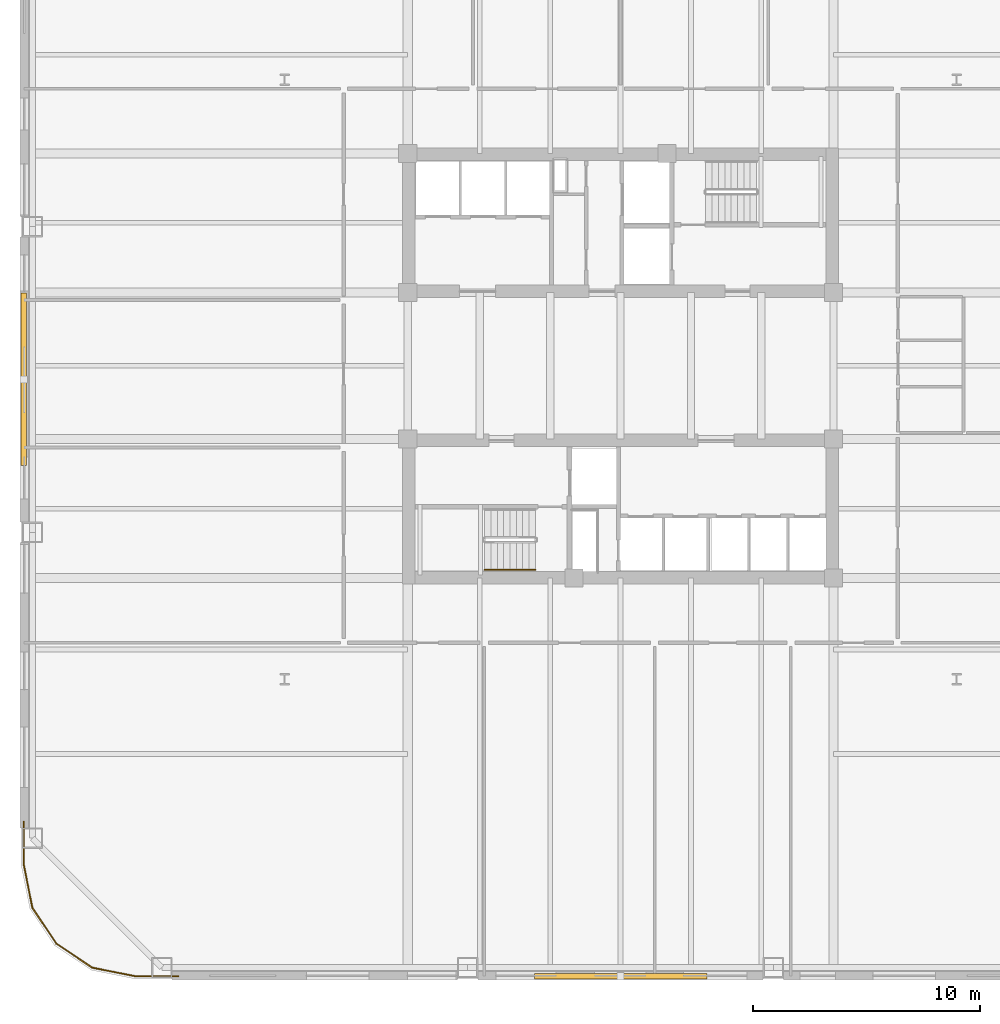
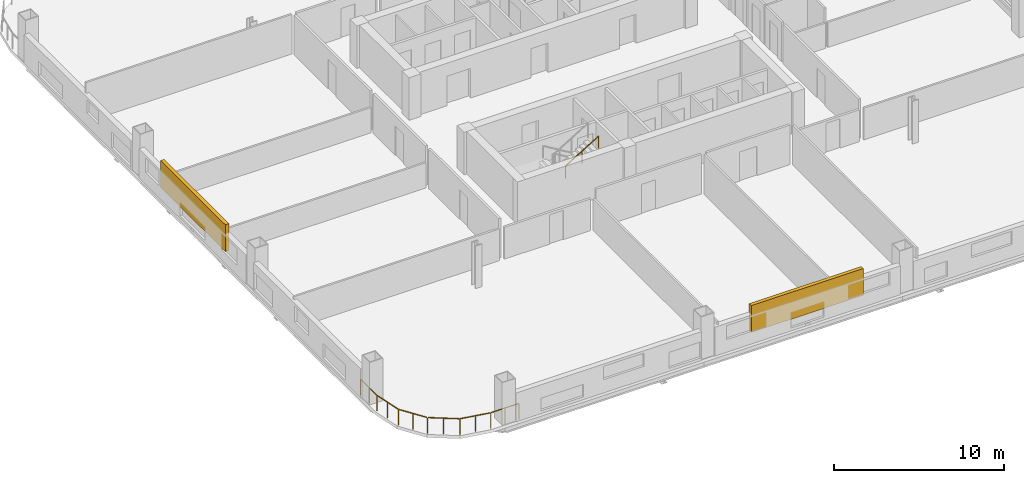
# One storey, part 7 of 12: 2 railings, 2 shading devices.
"""IFC4 building model written with IfcOpenShell, lengths in metres."""

import ifcopenshell
import ifcopenshell.guid

model = None  # the IFC model being written
_history = None  # IfcOwnerHistory: only IFC2X3 demands one
_inside = {}  # id of a spatial element -> (the spatial element, [elements in it])
_under = {}  # id of a project, library or spatial element -> (it, [spatial elements below it])
_declared = {}  # id of a project -> (the project, [libraries it declares])
_typed = {}  # id of a type object -> (the type object, [elements of that type])
_made_of = {}  # id of a material, layer set ... -> (it, [elements and type objects made of it])


def new_model(schema):
    """Start an empty IFC model of exactly this schema.

    Asked for "IFC4X3", IfcOpenShell would pick the latest addendum, in which some entities
    have other attributes; the version numbers below select the first issue.
    IFC2X3 requires an IfcOwnerHistory on every rooted entity: one is made here for all.
    """
    global model, _history
    if schema == "IFC4X3":
        model = ifcopenshell.file(schema_version=(4, 3, 0, 0))
    else:
        model = ifcopenshell.file(schema=schema)
    _inside.clear()
    _under.clear()
    _declared.clear()
    _typed.clear()
    _made_of.clear()
    _history = None
    if model.schema == "IFC2X3":
        org = make("IfcOrganization", Name="unknown")
        user = make(
            "IfcPersonAndOrganization",
            ThePerson=make("IfcPerson", FamilyName="unknown"),
            TheOrganization=org,
        )
        app = make(
            "IfcApplication",
            ApplicationDeveloper=org,
            Version="unknown",
            ApplicationFullName="unknown",
            ApplicationIdentifier="unknown",
        )
        _history = make(
            "IfcOwnerHistory",
            OwningUser=user,
            OwningApplication=app,
            ChangeAction="ADDED",
            CreationDate=0,
        )
    return model


def make(cls, **values):
    """One entity of the class cls with the attributes given. An attribute that is None is left unset."""
    return model.create_entity(
        cls, **{name: value for name, value in values.items() if value is not None}
    )


def rooted(cls, **values):
    """An entity with a GlobalId (a new one), such as an element, a storey or a relation."""
    return make(cls, GlobalId=ifcopenshell.guid.new(), OwnerHistory=_history, **values)


def si_unit(unit_type, name, prefix=None):
    """IfcSIUnit, for example si_unit("LENGTHUNIT", "METRE", prefix="MILLI")."""
    return make("IfcSIUnit", UnitType=unit_type, Prefix=prefix, Name=name)


def assignment(units):
    """IfcUnitAssignment: the units of a project."""
    return None if units is None else make("IfcUnitAssignment", Units=units)


def point(xyz):
    """IfcCartesianPoint."""
    return None if xyz is None else make("IfcCartesianPoint", Coordinates=xyz)


def direction(xyz):
    """IfcDirection."""
    return None if xyz is None else make("IfcDirection", DirectionRatios=xyz)


def frame(location, z_axis=None, x_axis=None):
    """IfcAxis2Placement3D, a coordinate frame: its origin and axes. An axis left out is left unset."""
    return make(
        "IfcAxis2Placement3D",
        Location=point(location),
        Axis=direction(z_axis),
        RefDirection=direction(x_axis),
    )


def frame_2d(location, x_axis=None):
    """IfcAxis2Placement2D, a coordinate frame in the plane: its origin and x axis."""
    return make(
        "IfcAxis2Placement2D", Location=point(location), RefDirection=direction(x_axis)
    )


def origin():
    """The frame at (0, 0, 0) with its axes left unset."""
    return frame((0.0, 0.0, 0.0))


def origin_2d():
    """The frame at (0, 0) in the plane with its x axis left unset."""
    return frame_2d((0.0, 0.0))


def place(relative_to, where):
    """IfcLocalPlacement: puts the frame where relative to a parent placement (None: the world)."""
    return make(
        "IfcLocalPlacement", PlacementRelTo=relative_to, RelativePlacement=where
    )


def context(
    kind, dimensions, precision=None, world=None, true_north=None, identifier=None
):
    """IfcGeometricRepresentationContext, for example the 3D "Model" context."""
    return make(
        "IfcGeometricRepresentationContext",
        ContextIdentifier=identifier,
        ContextType=kind,
        CoordinateSpaceDimension=dimensions,
        Precision=precision,
        WorldCoordinateSystem=world,
        TrueNorth=true_north,
    )


def subcontext(parent, identifier, kind, view, scale=None):
    """IfcGeometricRepresentationSubContext, for example "Body" below "Model"."""
    return make(
        "IfcGeometricRepresentationSubContext",
        ContextIdentifier=identifier,
        ContextType=kind,
        ParentContext=parent,
        TargetScale=scale,
        TargetView=view,
    )


def project(units=None, contexts=None):
    """IfcProject with its units and contexts."""
    return rooted(
        "IfcProject",
        Name="project",
        RepresentationContexts=contexts,
        UnitsInContext=assignment(units),
    )


def spatial(cls, under=None, at=None, **own):
    """A site, building, storey or space (cls), placed at a placement, below another one or the project."""
    s = rooted(cls, ObjectPlacement=at, **own)
    if under is not None:
        _under.setdefault(under.id(), (under, []))[1].append(s)
    return s


def profile(cls, at=None, kind="AREA", **sizes):
    """A parametric profile (cls). Its sizes go by their IFC names, for example OverallWidth=200.0."""
    return make(cls, ProfileType=kind, Position=at, **sizes)


def rectangle(**sizes):
    """IfcRectangleProfileDef."""
    return profile("IfcRectangleProfileDef", **sizes)


def extrude(swept, where, along, depth):
    """IfcExtrudedAreaSolid: the profile swept, set in the frame where, extruded along a direction by depth."""
    return make(
        "IfcExtrudedAreaSolid",
        SweptArea=swept,
        Position=where,
        ExtrudedDirection=direction(along),
        Depth=depth,
    )


def shape(context_of_items, identifier, shape_type, items):
    """IfcShapeRepresentation: the items that make up one representation, for example the "Body"."""
    return make(
        "IfcShapeRepresentation",
        ContextOfItems=context_of_items,
        RepresentationIdentifier=identifier,
        RepresentationType=shape_type,
        Items=items,
    )


def material(Name=None, Category=None):
    """IfcMaterial."""
    return make("IfcMaterial", Name=Name, Category=Category)


def made_of(thing, what):
    """Note that an element or type object is made of a material, layer set ...; save() writes the relation."""
    if what is not None:
        _made_of.setdefault(what.id(), (what, []))[1].append(thing)
    return thing


def type_object(cls, material=None, **own):
    """A type object (cls), such as IfcWallType, which elements share."""
    return made_of(rooted(cls, **own), material)


def element(
    cls,
    number,
    at=None,
    inside=None,
    cuts=None,
    type_object=None,
    material=None,
    context=None,
    identifier="Body",
    shape_type=None,
    held_by="IfcProductDefinitionShape",
    body=None,
    shapes=None,
    **own,
):
    """One element of the class cls, such as IfcWall. Its Tag is "e" and its number.

    at: its placement. inside: the storey or other place that contains it. cuts: it is an
    opening in that element (IfcRelVoidsElement). A single representation is given by context,
    identifier, shape_type and body (its items); several are given by shapes. held_by: the class
    of the entity that holds the representations. save() writes the other relations.
    """
    e = rooted(cls, Tag="e%d" % number, ObjectPlacement=at, **own)
    if body is not None:
        shapes = [shape(context, identifier, shape_type, body)]
    if shapes is not None:
        e.Representation = make(held_by, Representations=shapes)
    if inside is not None:
        _inside.setdefault(inside.id(), (inside, []))[1].append(e)
    if cuts is not None:
        rooted(
            "IfcRelVoidsElement", RelatingBuildingElement=cuts, RelatedOpeningElement=e
        )
    if type_object is not None:
        _typed.setdefault(type_object.id(), (type_object, []))[1].append(e)
    return made_of(e, material)


def aggregate(whole, parts):
    """IfcRelAggregates: a whole, such as a stair, and the parts it consists of."""
    return rooted("IfcRelAggregates", RelatingObject=whole, RelatedObjects=parts)


def save(model, path):
    """Write the relations noted so far, then the file.

    IfcRelAggregates (storeys below a building ...), IfcRelContainedInSpatialStructure (elements
    in a storey), IfcRelDefinesByType, IfcRelAssociatesMaterial and IfcRelDeclares: one each for
    every whole, place, type object, material and project.
    """
    for whole, parts in _under.values():
        aggregate(whole, parts)
    for where, things in _inside.values():
        rooted(
            "IfcRelContainedInSpatialStructure",
            RelatedElements=things,
            RelatingStructure=where,
        )
    for kind, things in _typed.values():
        rooted("IfcRelDefinesByType", RelatedObjects=things, RelatingType=kind)
    for what, things in _made_of.values():
        rooted("IfcRelAssociatesMaterial", RelatedObjects=things, RelatingMaterial=what)
    for by, libraries in _declared.values():
        rooted("IfcRelDeclares", RelatingContext=by, RelatedDefinitions=libraries)
    model.write(path)


model = new_model("IFC4")

# Units and contexts
model_context = context("Model", 3, precision=1e-05, world=origin(), true_north=direction((0.0, 1.0)))
body_context = subcontext(model_context, "Body", "Model", "MODEL_VIEW")
ifc_project = project(units=[si_unit("LENGTHUNIT", "METRE"), si_unit("AREAUNIT", "SQUARE_METRE"), si_unit("VOLUMEUNIT", "CUBIC_METRE"), si_unit("PLANEANGLEUNIT", "RADIAN"), si_unit("MASSUNIT", "GRAM", prefix="KILO")], contexts=[model_context])

# Site, building, storey
site_placement = place(None, origin())
site = spatial("IfcSite", under=ifc_project, at=site_placement, CompositionType="ELEMENT")
building_placement = place(site_placement, origin())
building = spatial("IfcBuilding", under=site, at=building_placement, Name="Qhalaya Broadcast Tower", CompositionType="ELEMENT")
storey_placement = place(building_placement, frame((0.0, 0.0, 47.449951171875)))
storey = spatial("IfcBuildingStorey", under=building, at=storey_placement, Name="L13", CompositionType="ELEMENT", Elevation=47.449951171875)

# Railings
ifc_material_1 = material(Name="Powder-Coated Galvanised Steel", Category="steel")
railing_type_1 = type_object("IfcRailingType", Name="Stair Wall Handrail 900", PredefinedType="HANDRAIL", material=ifc_material_1)
railing_1_placement = place(storey_placement, frame((-5.989990234375, -8.389892578125, 1.694580078125)))
element("IfcRailing", 1, at=railing_1_placement, inside=storey, type_object=railing_type_1, Name="L13 ST-2 Stair Handrail 2", PredefinedType="HANDRAIL", context=body_context, shape_type="SweptSolid", body=[
    extrude(rectangle(XDim=0.048095703125, YDim=0.048095703125, at=origin_2d()), frame((0.0, 0.0, 0.8759765625), z_axis=(0.855553338991, 0.0, 0.51771467445), x_axis=(0.0, 1.0, 0.0)), (0.0, 0.0, 1.0), 2.6181640625),
    extrude(rectangle(XDim=0.0419921875, YDim=0.0419921875, at=origin_2d()), origin(), (0.0, 0.0, 1.0), 0.849853515625),
    extrude(rectangle(XDim=0.0419921875, YDim=0.0419921875, at=origin_2d()), frame((1.1201171875, 0.0, 0.677734375)), (0.0, 0.0, 1.0), 0.849853515625),
    extrude(rectangle(XDim=0.0419921875, YDim=0.0419921875, at=origin_2d()), frame((2.239990234375, 0.0, 1.35546875)), (0.0, 0.0, 1.0), 0.849853515625),
])
railing_type_2 = type_object("IfcRailingType", Name="Terrace, Sky-Pool & Lookout Glass Balustrade 1150", PredefinedType="BALUSTRADE", material=ifc_material_1)
railing_2_placement = place(storey_placement, frame((-19.48193359375, -26.280029296875, 0.0)))
element("IfcRailing", 2, at=railing_2_placement, inside=storey, type_object=railing_type_2, Name="L13 Rounded Corner Perimeter Guard 02", PredefinedType="BALUSTRADE", context=body_context, shape_type="SweptSolid", body=[
    extrude(rectangle(XDim=0.048095703125, YDim=0.048095703125, at=origin_2d()), frame((0.0, 0.0, 1.1259765625), z_axis=(-1.0, 0.0, 0.0), x_axis=(0.0, -1.0, 0.0)), (0.0, 0.0, 1.0), 1.87744140625),
    extrude(rectangle(XDim=0.048095703125, YDim=0.048095703125, at=origin_2d()), frame((-1.9345703125, 0.005615234375, 1.1259765625), z_axis=(-0.980795810058, 0.195037378397, 0.0), x_axis=(-0.195037378397, -0.980795810058, 0.0)), (0.0, 0.0, 1.0), 1.857421875),
    extrude(rectangle(XDim=0.048095703125, YDim=0.048095703125, at=origin_2d()), frame((-3.80859375, 0.3896484375, 1.1259765625), z_axis=(-0.831477548332, 0.555558355728, 0.0), x_axis=(-0.555558355728, -0.831477548332, 0.0)), (0.0, 0.0, 1.0), 1.845458984375),
    extrude(rectangle(XDim=0.048095703125, YDim=0.048095703125, at=origin_2d()), frame((-5.38330078125, 1.454833984375, 1.1259765625), z_axis=(-0.555558355728, 0.831477548332, 0.0), x_axis=(-0.831477548332, -0.555558355728, 0.0)), (0.0, 0.0, 1.0), 1.845458984375),
    extrude(rectangle(XDim=0.048095703125, YDim=0.048095703125, at=origin_2d()), frame((-6.43017578125, 3.041748046875, 1.1259765625), z_axis=(-0.195037378397, 0.980795810058, 0.0), x_axis=(-0.980795810058, -0.195037378397, 0.0)), (0.0, 0.0, 1.0), 1.857421875),
    extrude(rectangle(XDim=0.048095703125, YDim=0.048095703125, at=origin_2d()), frame((-6.798095703125, 4.920654296875, 1.1259765625), z_axis=(0.0, 1.0, 0.0), x_axis=(-1.0, 0.0, 0.0)), (0.0, 0.0, 1.0), 1.87744140625),
    extrude(rectangle(XDim=0.0419921875, YDim=0.0419921875, at=origin_2d()), origin(), (0.0, 0.0, 1.0), 1.099853515625),
    extrude(rectangle(XDim=0.0419921875, YDim=0.0419921875, at=origin_2d()), frame((-0.953125, 0.0, 0.0)), (0.0, 0.0, 1.0), 1.099853515625),
    extrude(rectangle(XDim=0.0419921875, YDim=0.0419921875, at=origin_2d()), frame((-1.90625, 0.0, 0.0)), (0.0, 0.0, 1.0), 1.099853515625),
    extrude(rectangle(XDim=0.0419921875, YDim=0.0419921875, at=origin_2d()), frame((-2.845458984375, 0.186767578125, 0.0)), (0.0, 0.0, 1.0), 1.099853515625),
    extrude(rectangle(XDim=0.0419921875, YDim=0.0419921875, at=origin_2d()), frame((-3.78466796875, 0.37353515625, 0.0)), (0.0, 0.0, 1.0), 1.099853515625),
    extrude(rectangle(XDim=0.0419921875, YDim=0.0419921875, at=origin_2d()), frame((-4.575927734375, 0.90234375, 0.0)), (0.0, 0.0, 1.0), 1.099853515625),
    extrude(rectangle(XDim=0.0419921875, YDim=0.0419921875, at=origin_2d()), frame((-5.3671875, 1.430908203125, 0.0)), (0.0, 0.0, 1.0), 1.099853515625),
    extrude(rectangle(XDim=0.0419921875, YDim=0.0419921875, at=origin_2d()), frame((-5.89599609375, 2.22216796875, 0.0)), (0.0, 0.0, 1.0), 1.099853515625),
    extrude(rectangle(XDim=0.0419921875, YDim=0.0419921875, at=origin_2d()), frame((-6.424560546875, 3.013427734375, 0.0)), (0.0, 0.0, 1.0), 1.099853515625),
    extrude(rectangle(XDim=0.0419921875, YDim=0.0419921875, at=origin_2d()), frame((-6.611328125, 3.95263671875, 0.0)), (0.0, 0.0, 1.0), 1.099853515625),
    extrude(rectangle(XDim=0.0419921875, YDim=0.0419921875, at=origin_2d()), frame((-6.798095703125, 4.891845703125, 0.0)), (0.0, 0.0, 1.0), 1.099853515625),
    extrude(rectangle(XDim=0.0419921875, YDim=0.0419921875, at=origin_2d()), frame((-6.798095703125, 5.844970703125, 0.0)), (0.0, 0.0, 1.0), 1.099853515625),
    extrude(rectangle(XDim=0.0419921875, YDim=0.0419921875, at=origin_2d()), frame((-6.798095703125, 6.798095703125, 0.0)), (0.0, 0.0, 1.0), 1.099853515625),
])

# Shading devices
ifc_material_2 = material(Name="Fired Architectural Terracotta", Category="masonry")
shading_device_type = type_object("IfcShadingDeviceType", Name="Terracotta Baguette Solar Screen Assembly TBS-01", PredefinedType="USERDEFINED", material=ifc_material_2)
for number, where, z_axis, x_axis, name in (
    (3, (0.0, -26.280029296875, 0.79248046875), (0.0, 0.0, 1.0), (1.0, 0.0, 0.0), "L13 Fired Terracotta Baguette Screen S"),
    (4, (-26.280029296875, 0.0, 0.79248046875), (0.0, 0.0, 1.0), (0.0, -1.0, 0.0), "L13 Fired Terracotta Baguette Screen W"),
):
    element("IfcShadingDevice", number, at=place(storey_placement, frame(where, z_axis=z_axis, x_axis=x_axis)), inside=storey, type_object=shading_device_type, Name=name, ObjectType="BAGUETTE", PredefinedType="USERDEFINED", context=body_context, shape_type="SweptSolid", body=[
        extrude(rectangle(XDim=7.60009765625, YDim=0.239990234375, at=origin_2d()), origin(), (0.0, 0.0, 1.0), 1.924072265625),
    ])

save(model, "model.ifc")
